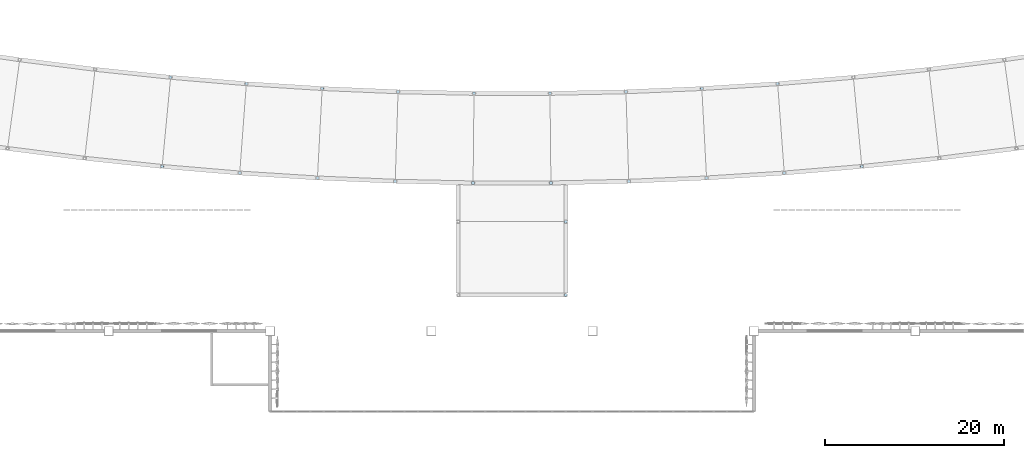
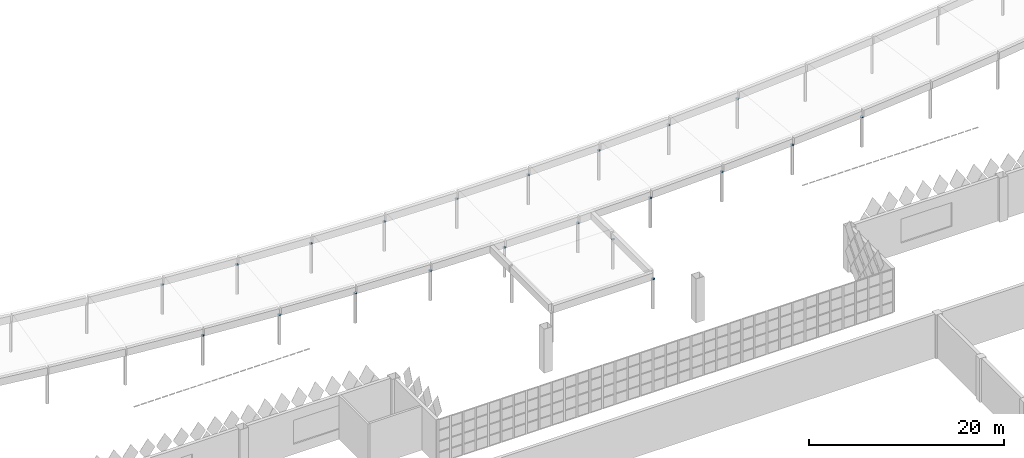
# One storey, part 100 of 185: 21 plates.
"""IFC4 building model written with IfcOpenShell, lengths in metres."""

import ifcopenshell
import ifcopenshell.guid

model = None  # the IFC model being written
_history = None  # IfcOwnerHistory: only IFC2X3 demands one
_inside = {}  # id of a spatial element -> (the spatial element, [elements in it])
_under = {}  # id of a project, library or spatial element -> (it, [spatial elements below it])
_declared = {}  # id of a project -> (the project, [libraries it declares])
_typed = {}  # id of a type object -> (the type object, [elements of that type])
_made_of = {}  # id of a material, layer set ... -> (it, [elements and type objects made of it])


def new_model(schema):
    """Start an empty IFC model of exactly this schema.

    Asked for "IFC4X3", IfcOpenShell would pick the latest addendum, in which some entities
    have other attributes; the version numbers below select the first issue.
    IFC2X3 requires an IfcOwnerHistory on every rooted entity: one is made here for all.
    """
    global model, _history
    if schema == "IFC4X3":
        model = ifcopenshell.file(schema_version=(4, 3, 0, 0))
    else:
        model = ifcopenshell.file(schema=schema)
    _inside.clear()
    _under.clear()
    _declared.clear()
    _typed.clear()
    _made_of.clear()
    _history = None
    if model.schema == "IFC2X3":
        org = make("IfcOrganization", Name="unknown")
        user = make(
            "IfcPersonAndOrganization",
            ThePerson=make("IfcPerson", FamilyName="unknown"),
            TheOrganization=org,
        )
        app = make(
            "IfcApplication",
            ApplicationDeveloper=org,
            Version="unknown",
            ApplicationFullName="unknown",
            ApplicationIdentifier="unknown",
        )
        _history = make(
            "IfcOwnerHistory",
            OwningUser=user,
            OwningApplication=app,
            ChangeAction="ADDED",
            CreationDate=0,
        )
    return model


def make(cls, **values):
    """One entity of the class cls with the attributes given. An attribute that is None is left unset."""
    return model.create_entity(
        cls, **{name: value for name, value in values.items() if value is not None}
    )


def rooted(cls, **values):
    """An entity with a GlobalId (a new one), such as an element, a storey or a relation."""
    return make(cls, GlobalId=ifcopenshell.guid.new(), OwnerHistory=_history, **values)


def si_unit(unit_type, name, prefix=None):
    """IfcSIUnit, for example si_unit("LENGTHUNIT", "METRE", prefix="MILLI")."""
    return make("IfcSIUnit", UnitType=unit_type, Prefix=prefix, Name=name)


def assignment(units):
    """IfcUnitAssignment: the units of a project."""
    return None if units is None else make("IfcUnitAssignment", Units=units)


def point(xyz):
    """IfcCartesianPoint."""
    return None if xyz is None else make("IfcCartesianPoint", Coordinates=xyz)


def direction(xyz):
    """IfcDirection."""
    return None if xyz is None else make("IfcDirection", DirectionRatios=xyz)


def frame(location, z_axis=None, x_axis=None):
    """IfcAxis2Placement3D, a coordinate frame: its origin and axes. An axis left out is left unset."""
    return make(
        "IfcAxis2Placement3D",
        Location=point(location),
        Axis=direction(z_axis),
        RefDirection=direction(x_axis),
    )


def frame_2d(location, x_axis=None):
    """IfcAxis2Placement2D, a coordinate frame in the plane: its origin and x axis."""
    return make(
        "IfcAxis2Placement2D", Location=point(location), RefDirection=direction(x_axis)
    )


def origin():
    """The frame at (0, 0, 0) with its axes left unset."""
    return frame((0.0, 0.0, 0.0))


def origin_2d():
    """The frame at (0, 0) in the plane with its x axis left unset."""
    return frame_2d((0.0, 0.0))


def place(relative_to, where):
    """IfcLocalPlacement: puts the frame where relative to a parent placement (None: the world)."""
    return make(
        "IfcLocalPlacement", PlacementRelTo=relative_to, RelativePlacement=where
    )


def context(
    kind, dimensions, precision=None, world=None, true_north=None, identifier=None
):
    """IfcGeometricRepresentationContext, for example the 3D "Model" context."""
    return make(
        "IfcGeometricRepresentationContext",
        ContextIdentifier=identifier,
        ContextType=kind,
        CoordinateSpaceDimension=dimensions,
        Precision=precision,
        WorldCoordinateSystem=world,
        TrueNorth=true_north,
    )


def subcontext(parent, identifier, kind, view, scale=None):
    """IfcGeometricRepresentationSubContext, for example "Body" below "Model"."""
    return make(
        "IfcGeometricRepresentationSubContext",
        ContextIdentifier=identifier,
        ContextType=kind,
        ParentContext=parent,
        TargetScale=scale,
        TargetView=view,
    )


def project(units=None, contexts=None):
    """IfcProject with its units and contexts."""
    return rooted(
        "IfcProject",
        Name="project",
        RepresentationContexts=contexts,
        UnitsInContext=assignment(units),
    )


def spatial(cls, under=None, at=None, **own):
    """A site, building, storey or space (cls), placed at a placement, below another one or the project."""
    s = rooted(cls, ObjectPlacement=at, **own)
    if under is not None:
        _under.setdefault(under.id(), (under, []))[1].append(s)
    return s


def profile(cls, at=None, kind="AREA", **sizes):
    """A parametric profile (cls). Its sizes go by their IFC names, for example OverallWidth=200.0."""
    return make(cls, ProfileType=kind, Position=at, **sizes)


def circle(**sizes):
    """IfcCircleProfileDef."""
    return profile("IfcCircleProfileDef", **sizes)


def extrude(swept, where, along, depth):
    """IfcExtrudedAreaSolid: the profile swept, set in the frame where, extruded along a direction by depth."""
    return make(
        "IfcExtrudedAreaSolid",
        SweptArea=swept,
        Position=where,
        ExtrudedDirection=direction(along),
        Depth=depth,
    )


def shape(context_of_items, identifier, shape_type, items):
    """IfcShapeRepresentation: the items that make up one representation, for example the "Body"."""
    return make(
        "IfcShapeRepresentation",
        ContextOfItems=context_of_items,
        RepresentationIdentifier=identifier,
        RepresentationType=shape_type,
        Items=items,
    )


def material(Name=None, Category=None):
    """IfcMaterial."""
    return make("IfcMaterial", Name=Name, Category=Category)


def material_profile(
    of_material, cross_section, Name=None, Category=None, Priority=None
):
    """IfcMaterialProfile: a cross section and its material."""
    return make(
        "IfcMaterialProfile",
        Name=Name,
        Material=of_material,
        Profile=cross_section,
        Priority=Priority,
        Category=Category,
    )


def profile_set(profiles, Name=None, composite=None):
    """IfcMaterialProfileSet."""
    return make(
        "IfcMaterialProfileSet",
        Name=Name,
        MaterialProfiles=profiles,
        CompositeProfile=composite,
    )


def made_of(thing, what):
    """Note that an element or type object is made of a material, layer set ...; save() writes the relation."""
    if what is not None:
        _made_of.setdefault(what.id(), (what, []))[1].append(thing)
    return thing


def type_object(cls, material=None, **own):
    """A type object (cls), such as IfcWallType, which elements share."""
    return made_of(rooted(cls, **own), material)


def element(
    cls,
    number,
    at=None,
    inside=None,
    cuts=None,
    type_object=None,
    material=None,
    context=None,
    identifier="Body",
    shape_type=None,
    held_by="IfcProductDefinitionShape",
    body=None,
    shapes=None,
    **own,
):
    """One element of the class cls, such as IfcWall. Its Tag is "e" and its number.

    at: its placement. inside: the storey or other place that contains it. cuts: it is an
    opening in that element (IfcRelVoidsElement). A single representation is given by context,
    identifier, shape_type and body (its items); several are given by shapes. held_by: the class
    of the entity that holds the representations. save() writes the other relations.
    """
    e = rooted(cls, Tag="e%d" % number, ObjectPlacement=at, **own)
    if body is not None:
        shapes = [shape(context, identifier, shape_type, body)]
    if shapes is not None:
        e.Representation = make(held_by, Representations=shapes)
    if inside is not None:
        _inside.setdefault(inside.id(), (inside, []))[1].append(e)
    if cuts is not None:
        rooted(
            "IfcRelVoidsElement", RelatingBuildingElement=cuts, RelatedOpeningElement=e
        )
    if type_object is not None:
        _typed.setdefault(type_object.id(), (type_object, []))[1].append(e)
    return made_of(e, material)


def aggregate(whole, parts):
    """IfcRelAggregates: a whole, such as a stair, and the parts it consists of."""
    return rooted("IfcRelAggregates", RelatingObject=whole, RelatedObjects=parts)


def save(model, path):
    """Write the relations noted so far, then the file.

    IfcRelAggregates (storeys below a building ...), IfcRelContainedInSpatialStructure (elements
    in a storey), IfcRelDefinesByType, IfcRelAssociatesMaterial and IfcRelDeclares: one each for
    every whole, place, type object, material and project.
    """
    for whole, parts in _under.values():
        aggregate(whole, parts)
    for where, things in _inside.values():
        rooted(
            "IfcRelContainedInSpatialStructure",
            RelatedElements=things,
            RelatingStructure=where,
        )
    for kind, things in _typed.values():
        rooted("IfcRelDefinesByType", RelatedObjects=things, RelatingType=kind)
    for what, things in _made_of.values():
        rooted("IfcRelAssociatesMaterial", RelatedObjects=things, RelatingMaterial=what)
    for by, libraries in _declared.values():
        rooted("IfcRelDeclares", RelatingContext=by, RelatedDefinitions=libraries)
    model.write(path)


model = new_model("IFC4")

# Units and contexts
model_context = context("Model", 3, precision=1e-05, world=origin(), true_north=direction((0.0, 1.0)))
body_context = subcontext(model_context, "Body", "Model", "MODEL_VIEW")
ifc_project = project(units=[si_unit("LENGTHUNIT", "METRE"), si_unit("AREAUNIT", "SQUARE_METRE"), si_unit("VOLUMEUNIT", "CUBIC_METRE"), si_unit("PLANEANGLEUNIT", "RADIAN"), si_unit("MASSUNIT", "GRAM", prefix="KILO")], contexts=[model_context])

# Site, building, storey
site_placement = place(None, origin())
site = spatial("IfcSite", under=ifc_project, at=site_placement, CompositionType="ELEMENT")
building_placement = place(site_placement, origin())
building = spatial("IfcBuilding", under=site, at=building_placement, Name="Opaline Strait Convention Centre", CompositionType="ELEMENT")
storey_placement = place(building_placement, frame((0.0, 0.0, 6.0)))
storey = spatial("IfcBuildingStorey", under=building, at=storey_placement, Name="L01", CompositionType="ELEMENT", Elevation=6.0)

# Plates
ifc_material = material(Name="Steel Q355B", Category="steel")
ifc_material_profile = material_profile(ifc_material, circle(Radius=0.175537109375, at=origin_2d()), Name="D351")
ifc_profile_set = profile_set([ifc_material_profile], Name="Steel Q355B")
plate_type = type_object("IfcPlateType", Name="Column cap plate CHS 351 x 15 Q355B", PredefinedType="SHEET", material=ifc_profile_set)
for number, where, z_axis, x_axis, name in (
    (1, (140.96142578125, 171.358642578125, 3.68505859375), (0.0, 0.0, 1.0), (1.0, 0.0, 0.0), "Arcade column cap plate at SC-I06"),
    (2, (149.6181640625, 170.625732421875, 3.68505859375), (0.0, 0.0, 1.0), (1.0, 0.0, 0.0), "Arcade column cap plate at SC-I07"),
    (3, (158.28857421875, 170.074951171875, 3.68505859375), (0.0, 0.0, 1.0), (1.0, 0.0, 0.0), "Arcade column cap plate at SC-I08"),
    (4, (166.968994140625, 169.70703125, 3.68505859375), (0.0, 0.0, 1.0), (1.0, 0.0, 0.0), "Arcade column cap plate at SC-I09"),
    (5, (175.65576171875, 169.52294921875, 3.68505859375), (0.0, 0.0, 1.0), (1.0, 0.0, 0.0), "Arcade column cap plate at SC-I10"),
    (6, (184.34423828125, 169.52294921875, 3.68505859375), (0.0, 0.0, 1.0), (1.0, 0.0, 0.0), "Arcade column cap plate at SC-I11"),
    (7, (193.031005859375, 169.70703125, 3.68505859375), (0.0, 0.0, 1.0), (1.0, 0.0, 0.0), "Arcade column cap plate at SC-I12"),
    (8, (201.71142578125, 170.074951171875, 3.68505859375), (0.0, 0.0, 1.0), (1.0, 0.0, 0.0), "Arcade column cap plate at SC-I13"),
    (9, (210.3818359375, 170.625732421875, 3.68505859375), (0.0, 0.0, 1.0), (1.0, 0.0, 0.0), "Arcade column cap plate at SC-I14"),
    (10, (219.03857421875, 171.358642578125, 3.68505859375), (0.0, 0.0, 1.0), (1.0, 0.0, 0.0), "Arcade column cap plate at SC-I15"),
    (11, (141.909423828125, 181.313720703125, 3.68505859375), (0.0, 0.0, 1.0), (1.0, 0.0, 0.0), "Arcade column cap plate at SC-O06"),
    (12, (150.357177734375, 180.598388671875, 3.68505859375), (0.0, 0.0, 1.0), (1.0, 0.0, 0.0), "Arcade column cap plate at SC-O07"),
    (13, (158.8173828125, 180.060791015625, 3.68505859375), (0.0, 0.0, 1.0), (1.0, 0.0, 0.0), "Arcade column cap plate at SC-O08"),
    (14, (167.28662109375, 179.7021484375, 3.68505859375), (0.0, 0.0, 1.0), (1.0, 0.0, 0.0), "Arcade column cap plate at SC-O09"),
    (15, (175.76171875, 179.5224609375, 3.68505859375), (0.0, 0.0, 1.0), (1.0, 0.0, 0.0), "Arcade column cap plate at SC-O10"),
    (16, (184.23828125, 179.5224609375, 3.68505859375), (0.0, 0.0, 1.0), (1.0, 0.0, 0.0), "Arcade column cap plate at SC-O11"),
    (17, (192.71337890625, 179.7021484375, 3.68505859375), (0.0, 0.0, 1.0), (1.0, 0.0, 0.0), "Arcade column cap plate at SC-O12"),
    (18, (201.1826171875, 180.060791015625, 3.68505859375), (0.0, 0.0, 1.0), (1.0, 0.0, 0.0), "Arcade column cap plate at SC-O13"),
    (19, (209.642822265625, 180.598388671875, 3.68505859375), (0.0, 0.0, 1.0), (1.0, 0.0, 0.0), "Arcade column cap plate at SC-O14"),
    (20, (186.0, 157.0, 3.68505859375), (0.0, 0.0, 1.0), (1.0, 0.0, 0.0), "Arcade walk column cap plate at SC-WE1"),
    (21, (186.0, 165.199951171875, 3.68505859375), (0.0, 0.0, 1.0), (1.0, 0.0, 0.0), "Arcade walk column cap plate at SC-WE2"),
):
    element("IfcPlate", number, at=place(storey_placement, frame(where, z_axis=z_axis, x_axis=x_axis)), inside=storey, type_object=plate_type, Name=name, PredefinedType="SHEET", context=body_context, shape_type="SweptSolid", body=[
        extrude(circle(Radius=0.175537109375, at=origin_2d()), origin(), (0.0, 0.0, 1.0), 0.014892578125),
    ])

save(model, "model.ifc")
